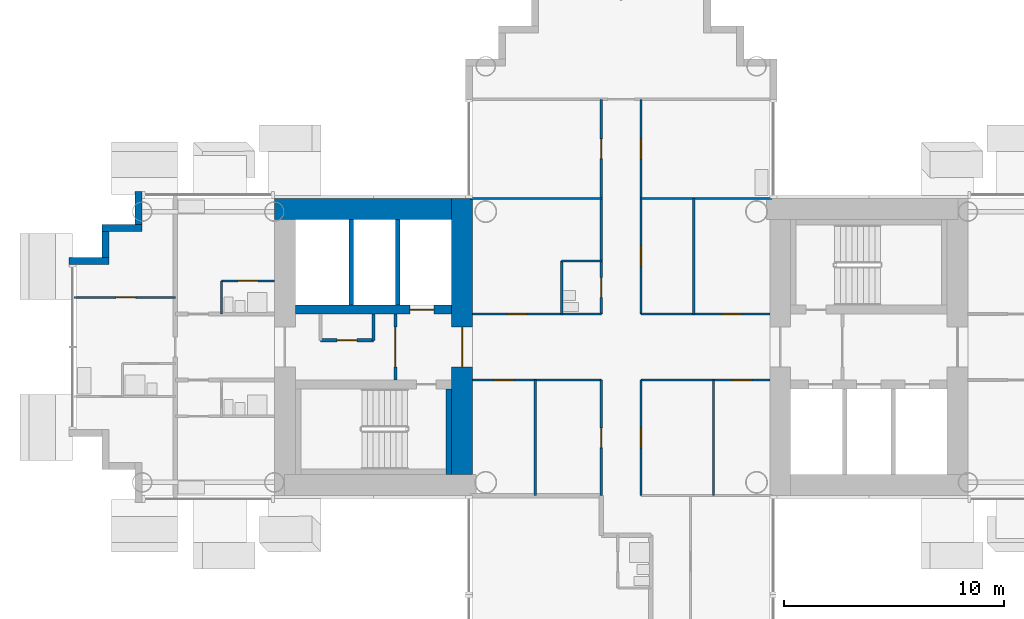
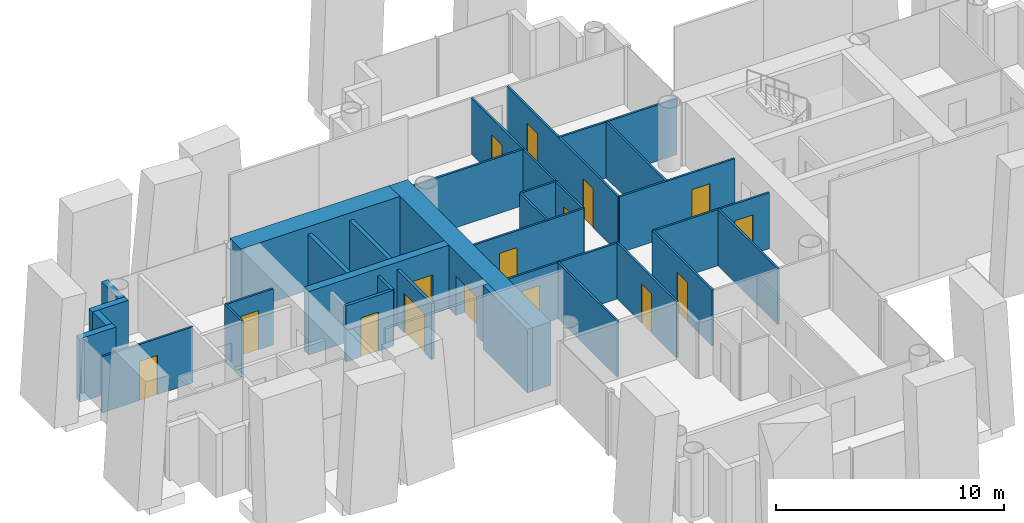
# One storey, part 9 of 21: 31 walls, 16 doors, 16 openings.
"""IFC4 building model written with IfcOpenShell, lengths in metres."""

from ifc_helpers import new_model, si_unit, direction, frame, frame_2d, origin, place, context, subcontext, project, spatial, rectangle, extrude, material, layer, layer_set, type_object, element, fill, save


model = new_model("IFC4")

# Units and contexts
model_context = context("Model", 3, precision=1e-05, world=origin(), true_north=direction((0.0, 1.0)))
body_context = subcontext(model_context, "Body", "Model", "MODEL_VIEW")
ifc_project = project(units=[si_unit("LENGTHUNIT", "METRE"), si_unit("AREAUNIT", "SQUARE_METRE"), si_unit("VOLUMEUNIT", "CUBIC_METRE"), si_unit("PLANEANGLEUNIT", "RADIAN"), si_unit("MASSUNIT", "GRAM", prefix="KILO")], contexts=[model_context])

# Site, building, storey
site_placement = place(None, origin())
site = spatial("IfcSite", under=ifc_project, at=site_placement, CompositionType="ELEMENT")
building_placement = place(site_placement, origin())
building = spatial("IfcBuilding", under=site, at=building_placement, Name="Ipe Terrace Towers", CompositionType="ELEMENT")
storey_placement = place(building_placement, frame((0.0, 0.0, 80.0)))
storey = spatial("IfcBuildingStorey", under=building, at=storey_placement, Name="L21", CompositionType="ELEMENT", Elevation=80.0)

# Walls
ifc_material_1 = material(Name="Concrete C40/50 with buff precast cladding", Category="concrete")
ifc_layer_1 = layer(ifc_material_1, 0.320068359375)
ifc_layer_set_1 = layer_set([ifc_layer_1], Name="BUFF CLADDING WALL 320")
wall_type_1 = type_object("IfcWallType", Name="BUFF CLADDING WALL 320", PredefinedType="STANDARD", material=ifc_layer_set_1)
wall_1_placement = place(storey_placement, frame((-57.909912109375, 7.070068359375, -0.300048828125), z_axis=(0.0, 0.0, 1.0), x_axis=(0.0, -1.0, 0.0)))
element("IfcWall", 1, at=wall_1_placement, inside=storey, type_object=wall_type_1, Name="T1-W-L21-47a wall", PredefinedType="STANDARD", context=body_context, shape_type="SweptSolid", body=[
    extrude(rectangle(XDim=1.5, YDim=0.320068359375, at=frame_2d((0.75, 0.0))), origin(), (0.0, 0.0, 1.0), 3.400146484375),
])
wall_2_placement = place(storey_placement, frame((-57.75, 5.409912109375, -0.300048828125), z_axis=(0.0, 0.0, 1.0), x_axis=(-1.0, 0.0, 0.0)))
element("IfcWall", 2, at=wall_2_placement, inside=storey, type_object=wall_type_1, Name="T1-W-L21-48a wall", PredefinedType="STANDARD", context=body_context, shape_type="SweptSolid", body=[
    extrude(rectangle(XDim=1.820068359375, YDim=0.320068359375, at=frame_2d((0.91015625, 0.0))), origin(), (0.0, 0.0, 1.0), 3.400146484375),
])
wall_3_placement = place(storey_placement, frame((-59.409912109375, 5.25, -0.300048828125), z_axis=(0.0, 0.0, 1.0), x_axis=(0.0, -1.0, 0.0)))
element("IfcWall", 3, at=wall_3_placement, inside=storey, type_object=wall_type_1, Name="T1-W-L21-49a wall", PredefinedType="STANDARD", context=body_context, shape_type="SweptSolid", body=[
    extrude(rectangle(XDim=1.179931640625, YDim=0.320068359375, at=frame_2d((0.58984375, 0.0))), origin(), (0.0, 0.0, 1.0), 3.400146484375),
])
wall_4_placement = place(storey_placement, frame((-59.25, 3.909912109375, -0.300048828125), z_axis=(0.0, 0.0, 1.0), x_axis=(-1.0, 0.0, 0.0)))
element("IfcWall", 4, at=wall_4_placement, inside=storey, type_object=wall_type_1, Name="T1-W-L21-50a wall", PredefinedType="STANDARD", context=body_context, shape_type="SweptSolid", body=[
    extrude(rectangle(XDim=1.820068359375, YDim=0.320068359375, at=frame_2d((0.91015625, 0.0))), origin(), (0.0, 0.0, 1.0), 3.400146484375),
])
ifc_material_2 = material(Name="Gypsum board partition", Category="plasterboard")
ifc_layer_2 = layer(ifc_material_2, 0.10009765625)
ifc_layer_set_2 = layer_set([ifc_layer_2], Name="Gypsum board partition 100 mm")
wall_type_2 = type_object("IfcWallType", Name="Gypsum board partition 100 mm", PredefinedType="PARTITIONING", material=ifc_layer_set_2)
wall_5_placement = place(storey_placement, frame((-54.14990234375, 1.5, 0.0), z_axis=(0.0, 0.0, 1.0), x_axis=(0.0, 1.0, 0.0)))
element("IfcWall", 5, at=wall_5_placement, inside=storey, type_object=wall_type_2, Name="Gypsum board partition T1 L21 W04", PredefinedType="PARTITIONING", context=body_context, shape_type="SweptSolid", body=[
    extrude(rectangle(XDim=1.5, YDim=0.10009765625, at=frame_2d((0.75, 0.0))), origin(), (0.0, 0.0, 1.0), 3.0),
])
wall_6_placement = place(storey_placement, frame((-39.89990234375, -6.75, 0.0), z_axis=(0.0, 0.0, 1.0), x_axis=(0.0, 1.0, 0.0)))
element("IfcWall", 6, at=wall_6_placement, inside=storey, type_object=wall_type_2, Name="Gypsum board partition T1 L21 W05", PredefinedType="PARTITIONING", context=body_context, shape_type="SweptSolid", body=[
    extrude(rectangle(XDim=5.25, YDim=0.10009765625, at=frame_2d((2.625, 0.0))), origin(), (0.0, 0.0, 1.0), 3.0),
])
wall_7_placement = place(storey_placement, frame((-38.699951171875, 1.5, 0.0), z_axis=(0.0, 0.0, 1.0), x_axis=(0.0, 1.0, 0.0)))
element("IfcWall", 7, at=wall_7_placement, inside=storey, type_object=wall_type_2, Name="Gypsum board partition T1 L21 W06", PredefinedType="PARTITIONING", context=body_context, shape_type="SweptSolid", body=[
    extrude(rectangle(XDim=2.39990234375, YDim=0.10009765625, at=frame_2d((1.199951171875, 0.0))), origin(), (0.0, 0.0, 1.0), 3.0),
])

# Wall, opening, door
wall_8_placement = place(storey_placement, frame((-36.89990234375, -6.75, 0.0), z_axis=(0.0, 0.0, 1.0), x_axis=(0.0, 1.0, 0.0)))
wall_8 = element("IfcWall", 8, at=wall_8_placement, inside=storey, type_object=wall_type_2, Name="Gypsum board partition T1 L21 W07", PredefinedType="PARTITIONING", context=body_context, shape_type="SweptSolid", body=[
    extrude(rectangle(XDim=5.25, YDim=0.10009765625, at=frame_2d((2.625, 0.0))), origin(), (0.0, 0.0, 1.0), 3.0),
])
opening_1_placement = place(wall_8_placement, frame((2.175048828125, 0.0, 0.0)))
opening_1 = element("IfcOpeningElement", 9, at=opening_1_placement, cuts=wall_8, Name="Opening T1-Z2B-05", PredefinedType="OPENING", context=body_context, shape_type="SweptSolid", body=[
    extrude(rectangle(XDim=0.89990234375, YDim=2.10009765625, at=frame_2d((0.449951171875, 1.050048828125))), frame((0.0, 0.06005859375, 0.0), z_axis=(0.0, -1.0, 0.0), x_axis=(1.0, 0.0, 0.0)), (0.0, 0.0, 1.0), 0.1201171875),
])
ifc_material_3 = material(Name="Timber door leaf", Category="wood")
door_type_1 = type_object("IfcDoorType", Name="Lounge door 900 x 2100", OperationType="NOTDEFINED", PredefinedType="DOOR", material=ifc_material_3)
door_1_placement = place(opening_1_placement, origin())
door_1 = element("IfcDoor", 10, at=door_1_placement, inside=storey, type_object=door_type_1, Name="Lounge door T1-Z2B-05", OperationType="SINGLE_SWING_LEFT", OverallHeight=2.10009765625, OverallWidth=0.89990234375, PredefinedType="DOOR", context=body_context, shape_type="SweptSolid", body=[
    extrude(rectangle(XDim=0.89990234375, YDim=2.10009765625, at=frame_2d((0.449951171875, 1.050048828125))), frame((0.0, 0.02490234375, 0.0), z_axis=(0.0, -1.0, 0.0), x_axis=(1.0, 0.0, 0.0)), (0.0, 0.0, 1.0), 0.050048828125),
])
fill(opening_1, door_1)

# Wall, openings, doors
wall_9_placement = place(storey_placement, frame((-36.89990234375, 1.5, 0.0), z_axis=(0.0, 0.0, 1.0), x_axis=(0.0, 1.0, 0.0)))
wall_9 = element("IfcWall", 11, at=wall_9_placement, inside=storey, type_object=wall_type_2, Name="Gypsum board partition T1 L21 W08", PredefinedType="PARTITIONING", context=body_context, shape_type="SweptSolid", body=[
    extrude(rectangle(XDim=9.75, YDim=0.10009765625, at=frame_2d((4.875, 0.0))), origin(), (0.0, 0.0, 1.0), 3.0),
])
opening_2_placement = place(wall_9_placement, frame((0.75, 0.0, 0.0)))
opening_2 = element("IfcOpeningElement", 12, at=opening_2_placement, cuts=wall_9, Name="Opening T1-Z2B-01", PredefinedType="OPENING", context=body_context, shape_type="SweptSolid", body=[
    extrude(rectangle(XDim=0.89990234375, YDim=2.10009765625, at=frame_2d((0.449951171875, 1.050048828125))), frame((0.0, 0.06005859375, 0.0), z_axis=(0.0, -1.0, 0.0), x_axis=(1.0, 0.0, 0.0)), (0.0, 0.0, 1.0), 0.1201171875),
])
opening_3_placement = place(wall_9_placement, frame((7.050048828125, 0.0, 0.0)))
opening_3 = element("IfcOpeningElement", 13, at=opening_3_placement, cuts=wall_9, Name="Opening T1-Z2B-09", PredefinedType="OPENING", context=body_context, shape_type="SweptSolid", body=[
    extrude(rectangle(XDim=0.89990234375, YDim=2.10009765625, at=frame_2d((0.449951171875, 1.050048828125))), frame((0.0, 0.06005859375, 0.0), z_axis=(0.0, -1.0, 0.0), x_axis=(1.0, 0.0, 0.0)), (0.0, 0.0, 1.0), 0.1201171875),
])
ifc_material_4 = material(Name="Timber door leaf", Category="wood")
door_type_2 = type_object("IfcDoorType", Name="Bathroom door 900 x 2100", OperationType="NOTDEFINED", PredefinedType="DOOR", material=ifc_material_4)
door_2_placement = place(opening_2_placement, origin())
door_2 = element("IfcDoor", 14, at=door_2_placement, inside=storey, type_object=door_type_2, Name="Bathroom door T1-Z2B-01", OperationType="SINGLE_SWING_RIGHT", OverallHeight=2.10009765625, OverallWidth=0.89990234375, PredefinedType="DOOR", context=body_context, shape_type="SweptSolid", body=[
    extrude(rectangle(XDim=0.89990234375, YDim=2.10009765625, at=frame_2d((0.449951171875, 1.050048828125))), frame((0.0, 0.02490234375, 0.0), z_axis=(0.0, -1.0, 0.0), x_axis=(1.0, 0.0, 0.0)), (0.0, 0.0, 1.0), 0.050048828125),
])
fill(opening_2, door_2)
door_3_placement = place(opening_3_placement, origin())
door_3 = element("IfcDoor", 15, at=door_3_placement, inside=storey, type_object=door_type_1, Name="Lounge door T1-Z2B-09", OperationType="SINGLE_SWING_LEFT", OverallHeight=2.10009765625, OverallWidth=0.89990234375, PredefinedType="DOOR", context=body_context, shape_type="SweptSolid", body=[
    extrude(rectangle(XDim=0.89990234375, YDim=2.10009765625, at=frame_2d((0.449951171875, 1.050048828125))), frame((0.0, 0.02490234375, 0.0), z_axis=(0.0, -1.0, 0.0), x_axis=(1.0, 0.0, 0.0)), (0.0, 0.0, 1.0), 0.050048828125),
])
fill(opening_3, door_3)

# Wall, opening, door
wall_10_placement = place(storey_placement, frame((-35.10009765625, -6.75, 0.0), z_axis=(0.0, 0.0, 1.0), x_axis=(0.0, 1.0, 0.0)))
wall_10 = element("IfcWall", 16, at=wall_10_placement, inside=storey, type_object=wall_type_2, Name="Gypsum board partition T1 L21 W11", PredefinedType="PARTITIONING", context=body_context, shape_type="SweptSolid", body=[
    extrude(rectangle(XDim=5.25, YDim=0.10009765625, at=frame_2d((2.625, 0.0))), origin(), (0.0, 0.0, 1.0), 3.0),
])
opening_4_placement = place(wall_10_placement, frame((2.175048828125, 0.0, 0.0)))
opening_4 = element("IfcOpeningElement", 17, at=opening_4_placement, cuts=wall_10, Name="Opening T1-Z2B-07", PredefinedType="OPENING", context=body_context, shape_type="SweptSolid", body=[
    extrude(rectangle(XDim=0.89990234375, YDim=2.10009765625, at=frame_2d((0.449951171875, 1.050048828125))), frame((0.0, 0.06005859375, 0.0), z_axis=(0.0, -1.0, 0.0), x_axis=(1.0, 0.0, 0.0)), (0.0, 0.0, 1.0), 0.1201171875),
])
door_4_placement = place(opening_4_placement, origin())
door_4 = element("IfcDoor", 18, at=door_4_placement, inside=storey, type_object=door_type_1, Name="Lounge door T1-Z2B-07", OperationType="SINGLE_SWING_RIGHT", OverallHeight=2.10009765625, OverallWidth=0.89990234375, PredefinedType="DOOR", context=body_context, shape_type="SweptSolid", body=[
    extrude(rectangle(XDim=0.89990234375, YDim=2.10009765625, at=frame_2d((0.449951171875, 1.050048828125))), frame((0.0, 0.02490234375, 0.0), z_axis=(0.0, -1.0, 0.0), x_axis=(1.0, 0.0, 0.0)), (0.0, 0.0, 1.0), 0.050048828125),
])
fill(opening_4, door_4)

# Wall, openings, doors
wall_11_placement = place(storey_placement, frame((-35.10009765625, 1.5, 0.0), z_axis=(0.0, 0.0, 1.0), x_axis=(0.0, 1.0, 0.0)))
wall_11 = element("IfcWall", 19, at=wall_11_placement, inside=storey, type_object=wall_type_2, Name="Gypsum board partition T1 L21 W12", PredefinedType="PARTITIONING", context=body_context, shape_type="SweptSolid", body=[
    extrude(rectangle(XDim=9.75, YDim=0.10009765625, at=frame_2d((4.875, 0.0))), origin(), (0.0, 0.0, 1.0), 3.0),
])
opening_5_placement = place(wall_11_placement, frame((2.175048828125, 0.0, 0.0)))
opening_5 = element("IfcOpeningElement", 20, at=opening_5_placement, cuts=wall_11, Name="Opening T1-Z2B-02", PredefinedType="OPENING", context=body_context, shape_type="SweptSolid", body=[
    extrude(rectangle(XDim=0.89990234375, YDim=2.10009765625, at=frame_2d((0.449951171875, 1.050048828125))), frame((0.0, 0.06005859375, 0.0), z_axis=(0.0, -1.0, 0.0), x_axis=(1.0, 0.0, 0.0)), (0.0, 0.0, 1.0), 0.1201171875),
])
opening_6_placement = place(wall_11_placement, frame((7.050048828125, 0.0, 0.0)))
opening_6 = element("IfcOpeningElement", 21, at=opening_6_placement, cuts=wall_11, Name="Opening T1-Z2B-10", PredefinedType="OPENING", context=body_context, shape_type="SweptSolid", body=[
    extrude(rectangle(XDim=0.89990234375, YDim=2.10009765625, at=frame_2d((0.449951171875, 1.050048828125))), frame((0.0, 0.06005859375, 0.0), z_axis=(0.0, -1.0, 0.0), x_axis=(1.0, 0.0, 0.0)), (0.0, 0.0, 1.0), 0.1201171875),
])
door_5_placement = place(opening_5_placement, origin())
door_5 = element("IfcDoor", 22, at=door_5_placement, inside=storey, type_object=door_type_1, Name="Lounge door T1-Z2B-02", OperationType="SINGLE_SWING_LEFT", OverallHeight=2.10009765625, OverallWidth=0.89990234375, PredefinedType="DOOR", context=body_context, shape_type="SweptSolid", body=[
    extrude(rectangle(XDim=0.89990234375, YDim=2.10009765625, at=frame_2d((0.449951171875, 1.050048828125))), frame((0.0, 0.02490234375, 0.0), z_axis=(0.0, -1.0, 0.0), x_axis=(1.0, 0.0, 0.0)), (0.0, 0.0, 1.0), 0.050048828125),
])
fill(opening_5, door_5)
door_6_placement = place(opening_6_placement, origin())
door_6 = element("IfcDoor", 23, at=door_6_placement, inside=storey, type_object=door_type_1, Name="Lounge door T1-Z2B-10", OperationType="SINGLE_SWING_RIGHT", OverallHeight=2.10009765625, OverallWidth=0.89990234375, PredefinedType="DOOR", context=body_context, shape_type="SweptSolid", body=[
    extrude(rectangle(XDim=0.89990234375, YDim=2.10009765625, at=frame_2d((0.449951171875, 1.050048828125))), frame((0.0, 0.02490234375, 0.0), z_axis=(0.0, -1.0, 0.0), x_axis=(1.0, 0.0, 0.0)), (0.0, 0.0, 1.0), 0.050048828125),
])
fill(opening_6, door_6)

# Walls
for number, where, z_axis, x_axis, name in (
    (24, (-32.699951171875, 1.5, 0.0), (0.0, 0.0, 1.0), (0.0, 1.0, 0.0), "Gypsum board partition T1 L21 W15"),
    (25, (-31.800048828125, -6.75, 0.0), (0.0, 0.0, 1.0), (0.0, 1.0, 0.0), "Gypsum board partition T1 L21 W16"),
):
    element("IfcWall", number, at=place(storey_placement, frame(where, z_axis=z_axis, x_axis=x_axis)), inside=storey, type_object=wall_type_2, Name=name, PredefinedType="PARTITIONING", context=body_context, shape_type="SweptSolid", body=[
        extrude(rectangle(XDim=5.25, YDim=0.10009765625, at=frame_2d((2.625, 0.0))), origin(), (0.0, 0.0, 1.0), 3.0),
    ])

# Wall, opening, door
wall_12_placement = place(storey_placement, frame((-42.75, -1.5, 0.0), z_axis=(0.0, 0.0, 1.0), x_axis=(1.0, 0.0, 0.0)))
wall_12 = element("IfcWall", 26, at=wall_12_placement, inside=storey, type_object=wall_type_2, Name="Gypsum board partition T1 L21 W26", PredefinedType="PARTITIONING", context=body_context, shape_type="SweptSolid", body=[
    extrude(rectangle(XDim=5.85009765625, YDim=0.10009765625, at=frame_2d((2.925048828125, 0.0))), origin(), (0.0, 0.0, 1.0), 3.0),
])
opening_7_placement = place(wall_12_placement, frame((0.97509765625, 0.0, 0.0)))
opening_7 = element("IfcOpeningElement", 27, at=opening_7_placement, cuts=wall_12, Name="Opening T1-Z2B-06", PredefinedType="OPENING", context=body_context, shape_type="SweptSolid", body=[
    extrude(rectangle(XDim=0.89990234375, YDim=2.10009765625, at=frame_2d((0.449951171875, 1.050048828125))), frame((0.0, 0.06005859375, 0.0), z_axis=(0.0, -1.0, 0.0), x_axis=(1.0, 0.0, 0.0)), (0.0, 0.0, 1.0), 0.1201171875),
])
door_7_placement = place(opening_7_placement, origin())
door_7 = element("IfcDoor", 28, at=door_7_placement, inside=storey, type_object=door_type_1, Name="Lounge door T1-Z2B-06", OperationType="SINGLE_SWING_LEFT", OverallHeight=2.10009765625, OverallWidth=0.89990234375, PredefinedType="DOOR", context=body_context, shape_type="SweptSolid", body=[
    extrude(rectangle(XDim=0.89990234375, YDim=2.10009765625, at=frame_2d((0.449951171875, 1.050048828125))), frame((0.0, 0.02490234375, 0.0), z_axis=(0.0, -1.0, 0.0), x_axis=(1.0, 0.0, 0.0)), (0.0, 0.0, 1.0), 0.050048828125),
])
fill(opening_7, door_7)

wall_13_placement = place(storey_placement, frame((-35.10009765625, -1.5, 0.0), z_axis=(0.0, 0.0, 1.0), x_axis=(1.0, 0.0, 0.0)))
wall_13 = element("IfcWall", 29, at=wall_13_placement, inside=storey, type_object=wall_type_2, Name="Gypsum board partition T1 L21 W27", PredefinedType="PARTITIONING", context=body_context, shape_type="SweptSolid", body=[
    extrude(rectangle(XDim=5.85009765625, YDim=0.10009765625, at=frame_2d((2.925048828125, 0.0))), origin(), (0.0, 0.0, 1.0), 3.0),
])
opening_8_placement = place(wall_13_placement, frame((4.125, 0.0, 0.0)))
opening_8 = element("IfcOpeningElement", 30, at=opening_8_placement, cuts=wall_13, Name="Opening T1-Z2B-08", PredefinedType="OPENING", context=body_context, shape_type="SweptSolid", body=[
    extrude(rectangle(XDim=0.89990234375, YDim=2.10009765625, at=frame_2d((0.449951171875, 1.050048828125))), frame((0.0, 0.06005859375, 0.0), z_axis=(0.0, -1.0, 0.0), x_axis=(1.0, 0.0, 0.0)), (0.0, 0.0, 1.0), 0.1201171875),
])
door_8_placement = place(opening_8_placement, origin())
door_8 = element("IfcDoor", 31, at=door_8_placement, inside=storey, type_object=door_type_1, Name="Lounge door T1-Z2B-08", OperationType="SINGLE_SWING_RIGHT", OverallHeight=2.10009765625, OverallWidth=0.89990234375, PredefinedType="DOOR", context=body_context, shape_type="SweptSolid", body=[
    extrude(rectangle(XDim=0.89990234375, YDim=2.10009765625, at=frame_2d((0.449951171875, 1.050048828125))), frame((0.0, 0.02490234375, 0.0), z_axis=(0.0, -1.0, 0.0), x_axis=(1.0, 0.0, 0.0)), (0.0, 0.0, 1.0), 0.050048828125),
])
fill(opening_8, door_8)

wall_14_placement = place(storey_placement, frame((-42.75, 1.5, 0.0), z_axis=(0.0, 0.0, 1.0), x_axis=(1.0, 0.0, 0.0)))
wall_14 = element("IfcWall", 32, at=wall_14_placement, inside=storey, type_object=wall_type_2, Name="Gypsum board partition T1 L21 W31", PredefinedType="PARTITIONING", context=body_context, shape_type="SweptSolid", body=[
    extrude(rectangle(XDim=5.85009765625, YDim=0.10009765625, at=frame_2d((2.925048828125, 0.0))), origin(), (0.0, 0.0, 1.0), 3.0),
])
opening_9_placement = place(wall_14_placement, frame((1.574951171875, 0.0, 0.0)))
opening_9 = element("IfcOpeningElement", 33, at=opening_9_placement, cuts=wall_14, Name="Opening T1-Z2B-04", PredefinedType="OPENING", context=body_context, shape_type="SweptSolid", body=[
    extrude(rectangle(XDim=0.89990234375, YDim=2.10009765625, at=frame_2d((0.449951171875, 1.050048828125))), frame((0.0, 0.06005859375, 0.0), z_axis=(0.0, -1.0, 0.0), x_axis=(1.0, 0.0, 0.0)), (0.0, 0.0, 1.0), 0.1201171875),
])
door_9_placement = place(opening_9_placement, origin())
door_9 = element("IfcDoor", 34, at=door_9_placement, inside=storey, type_object=door_type_1, Name="Lounge door T1-Z2B-04", OperationType="SINGLE_SWING_RIGHT", OverallHeight=2.10009765625, OverallWidth=0.89990234375, PredefinedType="DOOR", context=body_context, shape_type="SweptSolid", body=[
    extrude(rectangle(XDim=0.89990234375, YDim=2.10009765625, at=frame_2d((0.449951171875, 1.050048828125))), frame((0.0, 0.02490234375, 0.0), z_axis=(0.0, -1.0, 0.0), x_axis=(1.0, 0.0, 0.0)), (0.0, 0.0, 1.0), 0.050048828125),
])
fill(opening_9, door_9)

wall_15_placement = place(storey_placement, frame((-35.10009765625, 1.5, 0.0), z_axis=(0.0, 0.0, 1.0), x_axis=(1.0, 0.0, 0.0)))
wall_15 = element("IfcWall", 35, at=wall_15_placement, inside=storey, type_object=wall_type_2, Name="Gypsum board partition T1 L21 W32", PredefinedType="PARTITIONING", context=body_context, shape_type="SweptSolid", body=[
    extrude(rectangle(XDim=5.85009765625, YDim=0.10009765625, at=frame_2d((2.925048828125, 0.0))), origin(), (0.0, 0.0, 1.0), 3.0),
])
opening_10_placement = place(wall_15_placement, frame((3.675048828125, 0.0, 0.0)))
opening_10 = element("IfcOpeningElement", 36, at=opening_10_placement, cuts=wall_15, Name="Opening T1-Z2B-03", PredefinedType="OPENING", context=body_context, shape_type="SweptSolid", body=[
    extrude(rectangle(XDim=0.89990234375, YDim=2.10009765625, at=frame_2d((0.449951171875, 1.050048828125))), frame((0.0, 0.06005859375, 0.0), z_axis=(0.0, -1.0, 0.0), x_axis=(1.0, 0.0, 0.0)), (0.0, 0.0, 1.0), 0.1201171875),
])
door_10_placement = place(opening_10_placement, origin())
door_10 = element("IfcDoor", 37, at=door_10_placement, inside=storey, type_object=door_type_1, Name="Lounge door T1-Z2B-03", OperationType="SINGLE_SWING_LEFT", OverallHeight=2.10009765625, OverallWidth=0.89990234375, PredefinedType="DOOR", context=body_context, shape_type="SweptSolid", body=[
    extrude(rectangle(XDim=0.89990234375, YDim=2.10009765625, at=frame_2d((0.449951171875, 1.050048828125))), frame((0.0, 0.02490234375, 0.0), z_axis=(0.0, -1.0, 0.0), x_axis=(1.0, 0.0, 0.0)), (0.0, 0.0, 1.0), 0.050048828125),
])
fill(opening_10, door_10)

wall_16_placement = place(storey_placement, frame((-60.85009765625, 2.25, 0.0), z_axis=(0.0, 0.0, 1.0), x_axis=(1.0, 0.0, 0.0)))
wall_16 = element("IfcWall", 38, at=wall_16_placement, inside=storey, type_object=wall_type_2, Name="Gypsum board partition T1 L21 W35", PredefinedType="PARTITIONING", context=body_context, shape_type="SweptSolid", body=[
    extrude(rectangle(XDim=4.60009765625, YDim=0.10009765625, at=frame_2d((2.300048828125, 0.0))), origin(), (0.0, 0.0, 1.0), 3.0),
])
opening_11_placement = place(wall_16_placement, frame((1.89990234375, 0.0, 0.0)))
opening_11 = element("IfcOpeningElement", 39, at=opening_11_placement, cuts=wall_16, Name="Opening T1-Z2B-27", PredefinedType="OPENING", context=body_context, shape_type="SweptSolid", body=[
    extrude(rectangle(XDim=0.89990234375, YDim=2.10009765625, at=frame_2d((0.449951171875, 1.050048828125))), frame((0.0, 0.06005859375, 0.0), z_axis=(0.0, -1.0, 0.0), x_axis=(1.0, 0.0, 0.0)), (0.0, 0.0, 1.0), 0.1201171875),
])
door_11_placement = place(opening_11_placement, origin())
door_11 = element("IfcDoor", 40, at=door_11_placement, inside=storey, type_object=door_type_1, Name="Lounge door T1-Z2B-27", OperationType="SINGLE_SWING_LEFT", OverallHeight=2.10009765625, OverallWidth=0.89990234375, PredefinedType="DOOR", context=body_context, shape_type="SweptSolid", body=[
    extrude(rectangle(XDim=0.89990234375, YDim=2.10009765625, at=frame_2d((0.449951171875, 1.050048828125))), frame((0.0, 0.02490234375, 0.0), z_axis=(0.0, -1.0, 0.0), x_axis=(1.0, 0.0, 0.0)), (0.0, 0.0, 1.0), 0.050048828125),
])
fill(opening_11, door_11)

wall_17_placement = place(storey_placement, frame((-54.14990234375, 3.0, 0.0), z_axis=(0.0, 0.0, 1.0), x_axis=(1.0, 0.0, 0.0)))
wall_17 = element("IfcWall", 41, at=wall_17_placement, inside=storey, type_object=wall_type_2, Name="Gypsum board partition T1 L21 W36", PredefinedType="PARTITIONING", context=body_context, shape_type="SweptSolid", body=[
    extrude(rectangle(XDim=2.39990234375, YDim=0.10009765625, at=frame_2d((1.199951171875, 0.0))), origin(), (0.0, 0.0, 1.0), 3.0),
])
opening_12_placement = place(wall_17_placement, frame((0.75, 0.0, 0.0)))
opening_12 = element("IfcOpeningElement", 42, at=opening_12_placement, cuts=wall_17, Name="Opening T1-Z2B-23", PredefinedType="OPENING", context=body_context, shape_type="SweptSolid", body=[
    extrude(rectangle(XDim=0.89990234375, YDim=2.10009765625, at=frame_2d((0.449951171875, 1.050048828125))), frame((0.0, 0.06005859375, 0.0), z_axis=(0.0, -1.0, 0.0), x_axis=(1.0, 0.0, 0.0)), (0.0, 0.0, 1.0), 0.1201171875),
])
door_12_placement = place(opening_12_placement, origin())
door_12 = element("IfcDoor", 43, at=door_12_placement, inside=storey, type_object=door_type_2, Name="Bathroom door T1-Z2B-23", OperationType="SINGLE_SWING_RIGHT", OverallHeight=2.10009765625, OverallWidth=0.89990234375, PredefinedType="DOOR", context=body_context, shape_type="SweptSolid", body=[
    extrude(rectangle(XDim=0.89990234375, YDim=2.10009765625, at=frame_2d((0.449951171875, 1.050048828125))), frame((0.0, 0.02490234375, 0.0), z_axis=(0.0, -1.0, 0.0), x_axis=(1.0, 0.0, 0.0)), (0.0, 0.0, 1.0), 0.050048828125),
])
fill(opening_12, door_12)

# Walls
wall_18_placement = place(storey_placement, frame((-38.699951171875, 3.89990234375, 0.0), z_axis=(0.0, 0.0, 1.0), x_axis=(1.0, 0.0, 0.0)))
element("IfcWall", 44, at=wall_18_placement, inside=storey, type_object=wall_type_2, Name="Gypsum board partition T1 L21 W37", PredefinedType="PARTITIONING", context=body_context, shape_type="SweptSolid", body=[
    extrude(rectangle(XDim=1.800048828125, YDim=0.10009765625, at=frame_2d((0.89990234375, 0.0))), origin(), (0.0, 0.0, 1.0), 3.0),
])
for number, where, z_axis, x_axis, name in (
    (45, (-42.85009765625, 6.75, 0.0), (0.0, 0.0, 1.0), (1.0, 0.0, 0.0), "Gypsum board partition T1 L21 W38"),
    (46, (-35.10009765625, 6.75, 0.0), (0.0, 0.0, 1.0), (1.0, 0.0, 0.0), "Gypsum board partition T1 L21 W39"),
):
    element("IfcWall", number, at=place(storey_placement, frame(where, z_axis=z_axis, x_axis=x_axis)), inside=storey, type_object=wall_type_2, Name=name, PredefinedType="PARTITIONING", context=body_context, shape_type="SweptSolid", body=[
        extrude(rectangle(XDim=5.9501953125, YDim=0.10009765625, at=frame_2d((2.97509765625, 0.0))), origin(), (0.0, 0.0, 1.0), 3.0),
    ])

# Wall, opening, door
ifc_material_5 = material(Name="Gypsum board partition", Category="plasterboard")
ifc_layer_3 = layer(ifc_material_5, 0.14990234375)
ifc_layer_set_3 = layer_set([ifc_layer_3], Name="Gypsum board partition 150 mm")
wall_type_3 = type_object("IfcWallType", Name="Gypsum board partition 150 mm", PredefinedType="PARTITIONING", material=ifc_layer_set_3)
wall_19_placement = place(storey_placement, frame((-46.25, 1.5, 0.0), z_axis=(0.0, 0.0, 1.0), x_axis=(0.0, -1.0, 0.0)))
wall_19 = element("IfcWall", 47, at=wall_19_placement, inside=storey, type_object=wall_type_3, Name="Gypsum board partition T1 L21 t1c2-lobby-wall", PredefinedType="PARTITIONING", context=body_context, shape_type="SweptSolid", body=[
    extrude(rectangle(XDim=3.0, YDim=0.14990234375, at=frame_2d((1.5, 0.0))), origin(), (0.0, 0.0, 1.0), 3.0),
])
opening_13_placement = place(wall_19_placement, frame((0.60009765625, 0.0, 0.0)))
opening_13 = element("IfcOpeningElement", 48, at=opening_13_placement, cuts=wall_19, Name="Opening T1C2-VD", PredefinedType="OPENING", context=body_context, shape_type="SweptSolid", body=[
    extrude(rectangle(XDim=1.800048828125, YDim=2.10009765625, at=frame_2d((0.89990234375, 1.050048828125))), frame((0.0, 0.0849609375, 0.0), z_axis=(0.0, -1.0, 0.0), x_axis=(1.0, 0.0, 0.0)), (0.0, 0.0, 1.0), 0.169921875),
])
ifc_material_6 = material(Name="Fire-rated timber door leaf", Category="wood")
door_type_3 = type_object("IfcDoorType", Name="Lobby door 1800 x 2100 FD60", OperationType="NOTDEFINED", PredefinedType="DOOR", material=ifc_material_6)
door_13_placement = place(opening_13_placement, origin())
door_13 = element("IfcDoor", 49, at=door_13_placement, inside=storey, type_object=door_type_3, Name="Lobby door T1C2-VD", OperationType="SINGLE_SWING_LEFT", OverallHeight=2.10009765625, OverallWidth=1.800048828125, PredefinedType="DOOR", context=body_context, shape_type="SweptSolid", body=[
    extrude(rectangle(XDim=1.800048828125, YDim=2.10009765625, at=frame_2d((0.89990234375, 1.050048828125))), frame((0.0, 0.02490234375, 0.0), z_axis=(0.0, -1.0, 0.0), x_axis=(1.0, 0.0, 0.0)), (0.0, 0.0, 1.0), 0.050048828125),
])
fill(opening_13, door_13)

wall_20_placement = place(storey_placement, frame((-47.25, 0.300048828125, 0.0), z_axis=(0.0, 0.0, 1.0), x_axis=(-1.0, 0.0, 0.0)))
wall_20 = element("IfcWall", 50, at=wall_20_placement, inside=storey, type_object=wall_type_3, Name="Gypsum board partition T1 L21 t1c2-cup-s-f", PredefinedType="PARTITIONING", context=body_context, shape_type="SweptSolid", body=[
    extrude(rectangle(XDim=2.39990234375, YDim=0.14990234375, at=frame_2d((1.199951171875, 0.0))), origin(), (0.0, 0.0, 1.0), 3.0),
])
opening_14_placement = place(wall_20_placement, frame((0.75, 0.0, 0.0)))
opening_14 = element("IfcOpeningElement", 51, at=opening_14_placement, cuts=wall_20, Name="Opening T1C2-SC", PredefinedType="OPENING", context=body_context, shape_type="SweptSolid", body=[
    extrude(rectangle(XDim=0.89990234375, YDim=2.10009765625, at=frame_2d((0.449951171875, 1.050048828125))), frame((0.0, 0.0849609375, 0.0), z_axis=(0.0, -1.0, 0.0), x_axis=(1.0, 0.0, 0.0)), (0.0, 0.0, 1.0), 0.169921875),
])
ifc_material_7 = material(Name="Fire-rated timber door leaf", Category="wood")
door_type_4 = type_object("IfcDoorType", Name="Service door 900 x 2100 FD30S", OperationType="NOTDEFINED", PredefinedType="DOOR", material=ifc_material_7)
door_14_placement = place(opening_14_placement, origin())
door_14 = element("IfcDoor", 52, at=door_14_placement, inside=storey, type_object=door_type_4, Name="Service door T1C2-SC", OperationType="SINGLE_SWING_LEFT", OverallHeight=2.10009765625, OverallWidth=0.89990234375, PredefinedType="DOOR", context=body_context, shape_type="SweptSolid", body=[
    extrude(rectangle(XDim=0.89990234375, YDim=2.10009765625, at=frame_2d((0.449951171875, 1.050048828125))), frame((0.0, 0.02490234375, 0.0), z_axis=(0.0, -1.0, 0.0), x_axis=(1.0, 0.0, 0.0)), (0.0, 0.0, 1.0), 0.050048828125),
])
fill(opening_14, door_14)

# Walls
wall_21_placement = place(storey_placement, frame((-47.25, 0.300048828125, 0.0), z_axis=(0.0, 0.0, 1.0), x_axis=(0.0, 1.0, 0.0)))
element("IfcWall", 53, at=wall_21_placement, inside=storey, type_object=wall_type_3, Name="Gypsum board partition T1 L21 t1c2-cup-s-a", PredefinedType="PARTITIONING", context=body_context, shape_type="SweptSolid", body=[
    extrude(rectangle(XDim=1.199951171875, YDim=0.14990234375, at=frame_2d((0.60009765625, 0.0))), origin(), (0.0, 0.0, 1.0), 3.0),
])
ifc_material_8 = material(Name="Gypsum board party wall", Category="plasterboard")
ifc_layer_4 = layer(ifc_material_8, 0.199951171875)
ifc_layer_set_4 = layer_set([ifc_layer_4], Name="Gypsum board party wall 200 mm")
wall_type_4 = type_object("IfcWallType", Name="Gypsum board party wall 200 mm", PredefinedType="SOLIDWALL", material=ifc_layer_set_4)
for number, where, z_axis, x_axis, name in (
    (54, (-46.14990234375, 5.800048828125, 0.0), (0.0, 0.0, 1.0), (0.0, -1.0, 0.0), "Gypsum board party wall T1 L21 t1c2-shaft-div1"),
    (55, (-48.25, 5.800048828125, 0.0), (0.0, 0.0, 1.0), (0.0, -1.0, 0.0), "Gypsum board party wall T1 L21 t1c2-shaft-div2"),
):
    element("IfcWall", number, at=place(storey_placement, frame(where, z_axis=z_axis, x_axis=x_axis)), inside=storey, type_object=wall_type_4, Name=name, PredefinedType="SOLIDWALL", context=body_context, shape_type="SweptSolid", body=[
        extrude(rectangle(XDim=3.900146484375, YDim=0.199951171875, at=frame_2d((1.9501953125, 0.0))), origin(), (0.0, 0.0, 1.0), 3.0),
    ])
ifc_material_9 = material(Name="Concrete C50/60", Category="concrete")
ifc_layer_5 = layer(ifc_material_9, 0.25)
ifc_layer_set_5 = layer_set([ifc_layer_5], Name="RW250 CORE INFILL WALL 250 C50-60")
wall_type_5 = type_object("IfcWallType", Name="RW250 CORE INFILL WALL 250 C50-60", PredefinedType="SHEAR", material=ifc_layer_set_5)
wall_22_placement = place(storey_placement, frame((-43.824951171875, -1.89990234375, 0.0), z_axis=(0.0, 0.0, 1.0), x_axis=(0.0, -1.0, 0.0)))
element("IfcWall", 56, at=wall_22_placement, inside=storey, type_object=wall_type_5, Name="Core infill wall T1-C2-near", PredefinedType="SHEAR", context=body_context, shape_type="SweptSolid", body=[
    extrude(rectangle(XDim=3.900146484375, YDim=0.25, at=frame_2d((1.9501953125, 0.0))), origin(), (0.0, 0.0, 1.0), 3.39990234375),
])

# Wall, opening, door
ifc_material_10 = material(Name="Concrete C50/60", Category="concrete")
ifc_layer_6 = layer(ifc_material_10, 0.39990234375)
ifc_layer_set_6 = layer_set([ifc_layer_6], Name="RW400 CORE SPINE WALL 400 C50-60")
wall_type_6 = type_object("IfcWallType", Name="RW400 CORE SPINE WALL 400 C50-60", PredefinedType="SHEAR", material=ifc_layer_set_6)
wall_23_placement = place(storey_placement, frame((-50.800048828125, 1.699951171875, 0.0), z_axis=(0.0, 0.0, 1.0), x_axis=(1.0, 0.0, 0.0)))
wall_23 = element("IfcWall", 57, at=wall_23_placement, inside=storey, type_object=wall_type_6, Name="Core spine wall T1-C2-Z2-SW2", PredefinedType="SHEAR", context=body_context, shape_type="SweptSolid", body=[
    extrude(rectangle(XDim=7.10009765625, YDim=0.39990234375, at=frame_2d((3.550048828125, 0.0))), origin(), (0.0, 0.0, 1.0), 3.39990234375),
])
opening_15_placement = place(wall_23_placement, frame((5.199951171875, 0.0, 0.0)))
opening_15 = element("IfcOpeningElement", 58, at=opening_15_placement, cuts=wall_23, Name="Opening T1C2-LD1", PredefinedType="OPENING", context=body_context, shape_type="SweptSolid", body=[
    extrude(rectangle(XDim=1.10009765625, YDim=2.10009765625, at=frame_2d((0.550048828125, 1.050048828125))), frame((0.0, 0.2099609375, 0.0), z_axis=(0.0, -1.0, 0.0), x_axis=(1.0, 0.0, 0.0)), (0.0, 0.0, 1.0), 0.419921875),
])
ifc_material_11 = material(Name="Fire-rated timber door leaf", Category="wood")
door_type_5 = type_object("IfcDoorType", Name="Sliding door 1100 x 2100 FD60", OperationType="SLIDING_TO_LEFT", PredefinedType="DOOR", material=ifc_material_11)
door_15_placement = place(opening_15_placement, origin())
door_15 = element("IfcDoor", 59, at=door_15_placement, inside=storey, type_object=door_type_5, Name="Sliding door T1C2-LD1", OperationType="SLIDING_TO_LEFT", OverallHeight=2.10009765625, OverallWidth=1.10009765625, PredefinedType="DOOR", context=body_context, shape_type="SweptSolid", body=[
    extrude(rectangle(XDim=1.10009765625, YDim=2.10009765625, at=frame_2d((0.550048828125, 1.050048828125))), frame((0.0, 0.02490234375, 0.0), z_axis=(0.0, -1.0, 0.0), x_axis=(1.0, 0.0, 0.0)), (0.0, 0.0, 1.0), 0.050048828125),
])
fill(opening_15, door_15)

ifc_material_12 = material(Name="Concrete C50/60", Category="concrete")
ifc_layer_7 = layer(ifc_material_12, 0.949951171875)
ifc_layer_set_7 = layer_set([ifc_layer_7], Name="RW950 CORE WALL 950 C50-60")
wall_type_7 = type_object("IfcWallType", Name="RW950 CORE WALL 950 C50-60", PredefinedType="SHEAR", material=ifc_layer_set_7)
wall_24_placement = place(storey_placement, frame((-43.22509765625, -5.800048828125, 0.0), z_axis=(0.0, 0.0, 1.0), x_axis=(0.0, 1.0, 0.0)))
wall_24 = element("IfcWall", 60, at=wall_24_placement, inside=storey, type_object=wall_type_7, Name="Core wall T1-C2-Z2-W02", PredefinedType="SHEAR", context=body_context, shape_type="SweptSolid", body=[
    extrude(rectangle(XDim=12.550048828125, YDim=0.949951171875, at=frame_2d((6.27490234375, 0.0))), origin(), (0.0, 0.0, 1.0), 3.39990234375),
])
opening_16_placement = place(wall_24_placement, frame((4.89990234375, 0.0, 0.0)))
opening_16 = element("IfcOpeningElement", 61, at=opening_16_placement, cuts=wall_24, Name="Opening T1C2-ND", PredefinedType="OPENING", context=body_context, shape_type="SweptSolid", body=[
    extrude(rectangle(XDim=1.800048828125, YDim=2.10009765625, at=frame_2d((0.89990234375, 1.050048828125))), frame((0.0, 0.48486328125, 0.0), z_axis=(0.0, -1.0, 0.0), x_axis=(1.0, 0.0, 0.0)), (0.0, 0.0, 1.0), 0.969970703125),
])
ifc_material_13 = material(Name="Fire-rated timber door leaf", Category="wood")
door_type_6 = type_object("IfcDoorType", Name="Fire door 1800 x 2100 FD30S", OperationType="NOTDEFINED", PredefinedType="DOOR", material=ifc_material_13)
door_16_placement = place(opening_16_placement, origin())
door_16 = element("IfcDoor", 62, at=door_16_placement, inside=storey, type_object=door_type_6, Name="Fire door T1C2-ND", OperationType="SINGLE_SWING_LEFT", OverallHeight=2.10009765625, OverallWidth=1.800048828125, PredefinedType="DOOR", context=body_context, shape_type="SweptSolid", body=[
    extrude(rectangle(XDim=1.800048828125, YDim=2.10009765625, at=frame_2d((0.89990234375, 1.050048828125))), frame((0.0, 0.02490234375, 0.0), z_axis=(0.0, -1.0, 0.0), x_axis=(1.0, 0.0, 0.0)), (0.0, 0.0, 1.0), 0.050048828125),
])
fill(opening_16, door_16)

# Wall
wall_25_placement = place(storey_placement, frame((-43.699951171875, 6.27490234375, 0.0), z_axis=(0.0, 0.0, 1.0), x_axis=(-1.0, 0.0, 0.0)))
element("IfcWall", 63, at=wall_25_placement, inside=storey, type_object=wall_type_7, Name="Core wall T1-C2-Z2-W03", PredefinedType="SHEAR", context=body_context, shape_type="SweptSolid", body=[
    extrude(rectangle(XDim=8.050048828125, YDim=0.949951171875, at=frame_2d((4.02490234375, 0.0))), origin(), (0.0, 0.0, 1.0), 3.39990234375),
])

save(model, "model.ifc")
